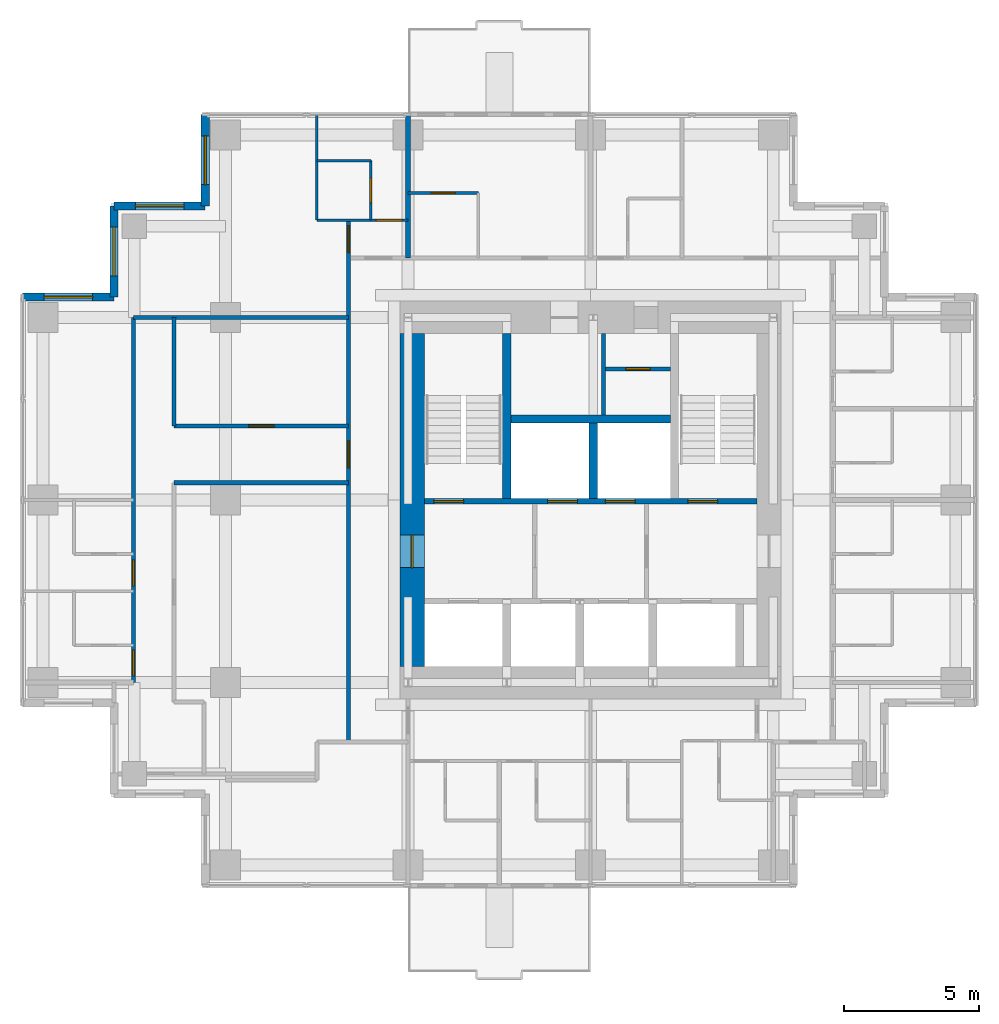
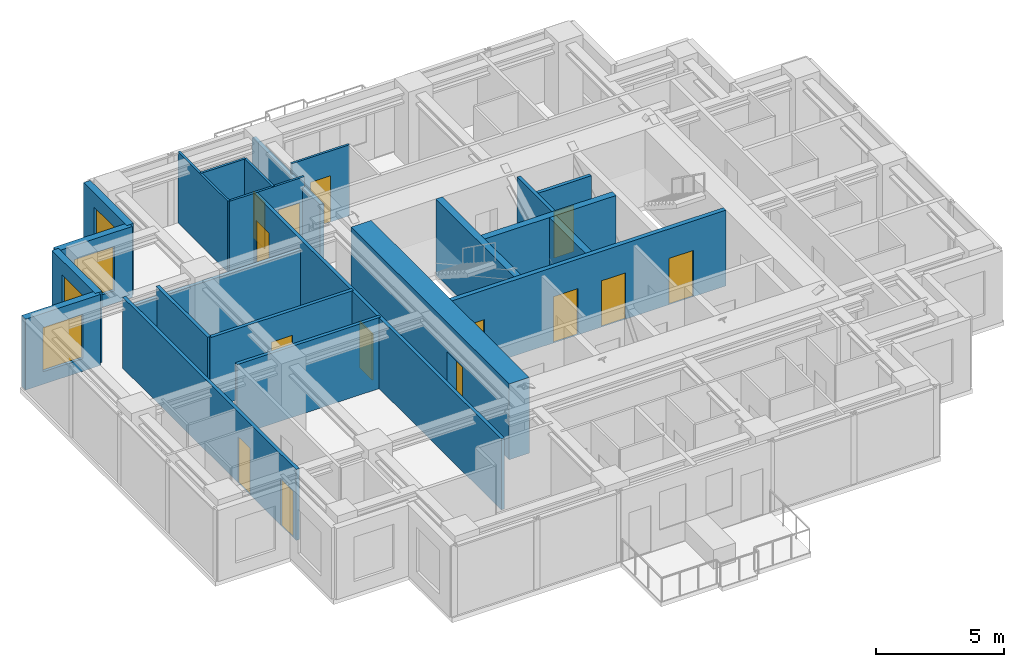
# One storey, part 5 of 8: 23 walls, 14 doors, 4 windows, 18 openings.
"""IFC4 building model written with IfcOpenShell, lengths in metres."""

from ifc_helpers import new_model, si_unit, direction, frame, frame_2d, origin, place, context, subcontext, project, spatial, rectangle, extrude, material, layer, layer_set, type_object, element, fill, save


model = new_model("IFC4")

# Units and contexts
model_context = context("Model", 3, precision=1e-05, world=origin(), true_north=direction((0.0, 1.0)))
body_context = subcontext(model_context, "Body", "Model", "MODEL_VIEW")
ifc_project = project(units=[si_unit("LENGTHUNIT", "METRE"), si_unit("AREAUNIT", "SQUARE_METRE"), si_unit("VOLUMEUNIT", "CUBIC_METRE"), si_unit("PLANEANGLEUNIT", "RADIAN"), si_unit("MASSUNIT", "GRAM", prefix="KILO")], contexts=[model_context])

# Site, building, storey
site_placement = place(None, origin())
site = spatial("IfcSite", under=ifc_project, at=site_placement, CompositionType="ELEMENT")
building_placement = place(site_placement, origin())
building = spatial("IfcBuilding", under=site, at=building_placement, Name="Nyansa Garden Tower", CompositionType="ELEMENT")
storey_placement = place(building_placement, frame((0.0, 0.0, 225.89990234375)))
storey = spatial("IfcBuildingStorey", under=building, at=storey_placement, Name="L61", CompositionType="ELEMENT", Elevation=225.89990234375)

# Wall
ifc_material_1 = material(Name="Dense blockwork, plastered both sides, 55 dB", Category="masonry")
ifc_layer_1 = layer(ifc_material_1, 0.175048828125)
ifc_layer_set_1 = layer_set([ifc_layer_1], Name="Acoustic party wall PW175")
wall_type_1 = type_object("IfcWallType", Name="Acoustic party wall PW175", PredefinedType="PARTITIONING", material=ifc_layer_set_1)
wall_1_placement = place(storey_placement, frame((13.5, 29.199951171875, 0.0), z_axis=(0.0, 0.0, 1.0), x_axis=(0.0, 1.0, 0.0)))
element("IfcWall", 1, at=wall_1_placement, inside=storey, type_object=wall_type_1, Name="Party wall", PredefinedType="PARTITIONING", context=body_context, shape_type="SweptSolid", body=[
    extrude(rectangle(XDim=5.283935546875, YDim=0.175048828125, at=frame_2d((2.64208984375, 0.0))), origin(), (0.0, 0.0, 1.0), 2.877197265625),
])

# Wall, openings, doors
ifc_material_2 = material(Name="Concrete C70/85", Category="concrete")
ifc_layer_2 = layer(ifc_material_2, 0.199951171875)
ifc_layer_set_2 = layer_set([ifc_layer_2], Name="Core inner wall CI200")
wall_type_2 = type_object("IfcWallType", Name="Core inner wall CI200", PredefinedType="SHEAR", material=ifc_layer_set_2)
wall_2_placement = place(storey_placement, frame((14.10009765625, 20.199951171875, 0.0), z_axis=(0.0, 0.0, 1.0), x_axis=(1.0, 0.0, 0.0)))
wall_2 = element("IfcWall", 2, at=wall_2_placement, inside=storey, type_object=wall_type_2, Name="Core inner wall L61", PredefinedType="SHEAR", context=body_context, shape_type="SweptSolid", body=[
    extrude(rectangle(XDim=12.2998046875, YDim=0.199951171875, at=frame_2d((6.14990234375, 0.0))), origin(), (0.0, 0.0, 1.0), 3.60009765625),
])
opening_1_placement = place(wall_2_placement, frame((4.56005859375, 0.0, 0.0)))
opening_1 = element("IfcOpeningElement", 3, at=opening_1_placement, cuts=wall_2, Name="Opening LD-B", PredefinedType="OPENING", context=body_context, shape_type="SweptSolid", body=[
    extrude(rectangle(XDim=1.10009765625, YDim=2.199951171875, at=frame_2d((0.550048828125, 1.10009765625))), frame((0.0, 0.10986328125, 0.0), z_axis=(0.0, -1.0, 0.0), x_axis=(1.0, 0.0, 0.0)), (0.0, 0.0, 1.0), 0.219970703125),
])
opening_2_placement = place(wall_2_placement, frame((6.699951171875, 0.0, 0.0)))
opening_2 = element("IfcOpeningElement", 4, at=opening_2_placement, cuts=wall_2, Name="Opening LD-B", PredefinedType="OPENING", context=body_context, shape_type="SweptSolid", body=[
    extrude(rectangle(XDim=1.10009765625, YDim=2.199951171875, at=frame_2d((0.550048828125, 1.10009765625))), frame((0.0, 0.10986328125, 0.0), z_axis=(0.0, -1.0, 0.0), x_axis=(1.0, 0.0, 0.0)), (0.0, 0.0, 1.0), 0.219970703125),
])
opening_3_placement = place(wall_2_placement, frame((0.35009765625, 0.0, 0.0)))
opening_3 = element("IfcOpeningElement", 5, at=opening_3_placement, cuts=wall_2, Name="Opening D05", PredefinedType="OPENING", context=body_context, shape_type="SweptSolid", body=[
    extrude(rectangle(XDim=1.10009765625, YDim=2.199951171875, at=frame_2d((0.550048828125, 1.10009765625))), frame((0.0, 0.10986328125, 0.0), z_axis=(0.0, -1.0, 0.0), x_axis=(1.0, 0.0, 0.0)), (0.0, 0.0, 1.0), 0.219970703125),
])
opening_4_placement = place(wall_2_placement, frame((9.75, 0.0, 0.0)))
opening_4 = element("IfcOpeningElement", 6, at=opening_4_placement, cuts=wall_2, Name="Opening D05", PredefinedType="OPENING", context=body_context, shape_type="SweptSolid", body=[
    extrude(rectangle(XDim=1.10009765625, YDim=2.199951171875, at=frame_2d((0.550048828125, 1.10009765625))), frame((0.0, 0.10986328125, 0.0), z_axis=(0.0, -1.0, 0.0), x_axis=(1.0, 0.0, 0.0)), (0.0, 0.0, 1.0), 0.219970703125),
])
ifc_material_3 = material(Name="Stainless steel centre-opening landing door of the high-rise lift, E 120", Category="steel")
door_type_1 = type_object("IfcDoorType", Name="Lift landing door LD-B 1100x2200", OperationType="DOUBLE_DOOR_SLIDING", PredefinedType="DOOR", material=ifc_material_3)
door_1_placement = place(opening_1_placement, origin())
door_1 = element("IfcDoor", 7, at=door_1_placement, inside=storey, type_object=door_type_1, Name="Landing door B3", OperationType="DOUBLE_DOOR_SLIDING", OverallHeight=2.199951171875, OverallWidth=1.10009765625, PredefinedType="DOOR", context=body_context, shape_type="SweptSolid", body=[
    extrude(rectangle(XDim=1.10009765625, YDim=2.199951171875, at=frame_2d((0.550048828125, 1.10009765625))), frame((0.0, 0.02490234375, 0.0), z_axis=(0.0, -1.0, 0.0), x_axis=(1.0, 0.0, 0.0)), (0.0, 0.0, 1.0), 0.050048828125),
])
fill(opening_1, door_1)
door_2_placement = place(opening_2_placement, origin())
door_2 = element("IfcDoor", 8, at=door_2_placement, inside=storey, type_object=door_type_1, Name="Landing door B4", OperationType="DOUBLE_DOOR_SLIDING", OverallHeight=2.199951171875, OverallWidth=1.10009765625, PredefinedType="DOOR", context=body_context, shape_type="SweptSolid", body=[
    extrude(rectangle(XDim=1.10009765625, YDim=2.199951171875, at=frame_2d((0.550048828125, 1.10009765625))), frame((0.0, 0.02490234375, 0.0), z_axis=(0.0, -1.0, 0.0), x_axis=(1.0, 0.0, 0.0)), (0.0, 0.0, 1.0), 0.050048828125),
])
fill(opening_2, door_2)
ifc_material_4 = material(Name="Steel door, 120 minute fire resisting", Category="steel")
door_type_2 = type_object("IfcDoorType", Name="Stair door D05 1100x2200", OperationType="SINGLE_SWING_LEFT", PredefinedType="DOOR", material=ifc_material_4)
door_3_placement = place(opening_3_placement, origin())
door_3 = element("IfcDoor", 9, at=door_3_placement, inside=storey, type_object=door_type_2, Name="Stair S1 door", OperationType="SINGLE_SWING_LEFT", OverallHeight=2.199951171875, OverallWidth=1.10009765625, PredefinedType="DOOR", context=body_context, shape_type="SweptSolid", body=[
    extrude(rectangle(XDim=1.10009765625, YDim=2.199951171875, at=frame_2d((0.550048828125, 1.10009765625))), frame((0.0, 0.02490234375, 0.0), z_axis=(0.0, -1.0, 0.0), x_axis=(1.0, 0.0, 0.0)), (0.0, 0.0, 1.0), 0.050048828125),
])
fill(opening_3, door_3)
door_4_placement = place(opening_4_placement, origin())
door_4 = element("IfcDoor", 10, at=door_4_placement, inside=storey, type_object=door_type_2, Name="Stair S2 door", OperationType="SINGLE_SWING_LEFT", OverallHeight=2.199951171875, OverallWidth=1.10009765625, PredefinedType="DOOR", context=body_context, shape_type="SweptSolid", body=[
    extrude(rectangle(XDim=1.10009765625, YDim=2.199951171875, at=frame_2d((0.550048828125, 1.10009765625))), frame((0.0, 0.02490234375, 0.0), z_axis=(0.0, -1.0, 0.0), x_axis=(1.0, 0.0, 0.0)), (0.0, 0.0, 1.0), 0.050048828125),
])
fill(opening_4, door_4)

# Walls
ifc_material_5 = material(Name="Concrete C70/85", Category="concrete")
ifc_layer_3 = layer(ifc_material_5, 0.300048828125)
ifc_layer_set_3 = layer_set([ifc_layer_3], Name="Core inner wall CI300")
wall_type_3 = type_object("IfcWallType", Name="Core inner wall CI300", PredefinedType="SHEAR", material=ifc_layer_set_3)
wall_3_placement = place(storey_placement, frame((17.14990234375, 20.300048828125, 0.0), z_axis=(0.0, 0.0, 1.0), x_axis=(0.0, 1.0, 0.0)))
element("IfcWall", 11, at=wall_3_placement, inside=storey, type_object=wall_type_3, Name="Core inner wall L61", PredefinedType="SHEAR", context=body_context, shape_type="SweptSolid", body=[
    extrude(rectangle(XDim=6.099853515625, YDim=0.300048828125, at=frame_2d((3.0498046875, 0.0))), origin(), (0.0, 0.0, 1.0), 3.60009765625),
])
wall_4_placement = place(storey_placement, frame((20.35009765625, 20.300048828125, 0.0), z_axis=(0.0, 0.0, 1.0), x_axis=(0.0, 1.0, 0.0)))
element("IfcWall", 12, at=wall_4_placement, inside=storey, type_object=wall_type_3, Name="Core inner wall L61", PredefinedType="SHEAR", context=body_context, shape_type="SweptSolid", body=[
    extrude(rectangle(XDim=2.800048828125, YDim=0.300048828125, at=frame_2d((1.39990234375, 0.0))), origin(), (0.0, 0.0, 1.0), 3.60009765625),
])
wall_5_placement = place(storey_placement, frame((17.300048828125, 23.25, 0.0), z_axis=(0.0, 0.0, 1.0), x_axis=(1.0, 0.0, 0.0)))
element("IfcWall", 13, at=wall_5_placement, inside=storey, type_object=wall_type_3, Name="Core inner wall L61", PredefinedType="SHEAR", context=body_context, shape_type="SweptSolid", body=[
    extrude(rectangle(XDim=5.89990234375, YDim=0.300048828125, at=frame_2d((2.949951171875, 0.0))), origin(), (0.0, 0.0, 1.0), 3.60009765625),
])

# Wall, opening, door
ifc_material_6 = material(Name="Concrete C80/95", Category="concrete")
ifc_layer_4 = layer(ifc_material_6, 0.89990234375)
ifc_layer_set_4 = layer_set([ifc_layer_4], Name="Core wall CW900")
wall_type_4 = type_object("IfcWallType", Name="Core wall CW900", PredefinedType="SHEAR", material=ifc_layer_set_4)
wall_6_placement = place(storey_placement, frame((13.64990234375, 26.39990234375, 0.0), z_axis=(0.0, 0.0, 1.0), x_axis=(0.0, -1.0, 0.0)))
wall_6 = element("IfcWall", 14, at=wall_6_placement, inside=storey, type_object=wall_type_4, Name="Core wall W L61", PredefinedType="SHEAR", context=body_context, shape_type="SweptSolid", body=[
    extrude(rectangle(XDim=12.2998046875, YDim=0.89990234375, at=frame_2d((6.14990234375, 0.0))), origin(), (0.0, 0.0, 1.0), 3.60009765625),
])
opening_5_placement = place(wall_6_placement, frame((7.449951171875, 0.0, 0.0)))
opening_5 = element("IfcOpeningElement", 15, at=opening_5_placement, cuts=wall_6, Name="Opening D06", PredefinedType="OPENING", context=body_context, shape_type="SweptSolid", body=[
    extrude(rectangle(XDim=1.199951171875, YDim=2.199951171875, at=frame_2d((0.60009765625, 1.10009765625))), frame((0.0, 0.4599609375, 0.0), z_axis=(0.0, -1.0, 0.0), x_axis=(1.0, 0.0, 0.0)), (0.0, 0.0, 1.0), 0.919921875),
])
ifc_material_7 = material(Name="Steel door, 120 minute fire resisting", Category="steel")
door_type_3 = type_object("IfcDoorType", Name="Lobby door D06 1200x2200", OperationType="DOUBLE_DOOR_SINGLE_SWING", PredefinedType="DOOR", material=ifc_material_7)
door_5_placement = place(opening_5_placement, origin())
door_5 = element("IfcDoor", 16, at=door_5_placement, inside=storey, type_object=door_type_3, Name="Lift lobby door west", OperationType="DOUBLE_DOOR_SINGLE_SWING", OverallHeight=2.199951171875, OverallWidth=1.199951171875, PredefinedType="DOOR", context=body_context, shape_type="SweptSolid", body=[
    extrude(rectangle(XDim=1.199951171875, YDim=2.199951171875, at=frame_2d((0.60009765625, 1.10009765625))), frame((0.0, 0.02490234375, 0.0), z_axis=(0.0, -1.0, 0.0), x_axis=(1.0, 0.0, 0.0)), (0.0, 0.0, 1.0), 0.050048828125),
])
fill(opening_5, door_5)

# Wall
ifc_material_8 = material(Name="Blockwork, plastered both sides", Category="masonry")
ifc_layer_5 = layer(ifc_material_8, 0.14990234375)
ifc_layer_set_5 = layer_set([ifc_layer_5], Name="Partition PW150")
wall_type_5 = type_object("IfcWallType", Name="Partition PW150", PredefinedType="PARTITIONING", material=ifc_layer_set_5)
wall_7_placement = place(storey_placement, frame((20.72509765625, 23.39990234375, 0.0), z_axis=(0.0, 0.0, 1.0), x_axis=(0.0, 1.0, 0.0)))
element("IfcWall", 17, at=wall_7_placement, inside=storey, type_object=wall_type_5, Name="Partition", PredefinedType="PARTITIONING", context=body_context, shape_type="SweptSolid", body=[
    extrude(rectangle(XDim=3.0, YDim=0.14990234375, at=frame_2d((1.5, 0.0))), origin(), (0.0, 0.0, 1.0), 3.375),
])

# Wall, opening, door
wall_8_placement = place(storey_placement, frame((20.800048828125, 25.10009765625, 0.0), z_axis=(0.0, 0.0, 1.0), x_axis=(1.0, 0.0, 0.0)))
wall_8 = element("IfcWall", 18, at=wall_8_placement, inside=storey, type_object=wall_type_5, Name="Partition", PredefinedType="PARTITIONING", context=body_context, shape_type="SweptSolid", body=[
    extrude(rectangle(XDim=2.39990234375, YDim=0.14990234375, at=frame_2d((1.199951171875, 0.0))), origin(), (0.0, 0.0, 1.0), 3.375),
])
opening_6_placement = place(wall_8_placement, frame((0.75, 0.0, 0.0)))
opening_6 = element("IfcOpeningElement", 19, at=opening_6_placement, cuts=wall_8, Name="Opening D02", PredefinedType="OPENING", context=body_context, shape_type="SweptSolid", body=[
    extrude(rectangle(XDim=0.89990234375, YDim=2.199951171875, at=frame_2d((0.449951171875, 1.10009765625))), frame((0.0, 0.0849609375, 0.0), z_axis=(0.0, -1.0, 0.0), x_axis=(1.0, 0.0, 0.0)), (0.0, 0.0, 1.0), 0.169921875),
])
ifc_material_9 = material(Name="Timber flush door", Category="wood")
door_type_4 = type_object("IfcDoorType", Name="En-suite door D02 900x2200", OperationType="SINGLE_SWING_RIGHT", PredefinedType="DOOR", material=ifc_material_9)
door_6_placement = place(opening_6_placement, origin())
door_6 = element("IfcDoor", 20, at=door_6_placement, inside=storey, type_object=door_type_4, Name="Staff WC door", OperationType="SINGLE_SWING_RIGHT", OverallHeight=2.199951171875, OverallWidth=0.89990234375, PredefinedType="DOOR", context=body_context, shape_type="SweptSolid", body=[
    extrude(rectangle(XDim=0.89990234375, YDim=2.199951171875, at=frame_2d((0.449951171875, 1.10009765625))), frame((0.0, 0.02490234375, 0.0), z_axis=(0.0, -1.0, 0.0), x_axis=(1.0, 0.0, 0.0)), (0.0, 0.0, 1.0), 0.050048828125),
])
fill(opening_6, door_6)

# Wall, openings, doors
wall_9_placement = place(storey_placement, frame((3.35009765625, 13.5, 0.0), z_axis=(0.0, 0.0, 1.0), x_axis=(0.0, 1.0, 0.0)))
wall_9 = element("IfcWall", 21, at=wall_9_placement, inside=storey, type_object=wall_type_5, Name="Partition", PredefinedType="PARTITIONING", context=body_context, shape_type="SweptSolid", body=[
    extrude(rectangle(XDim=13.5, YDim=0.14990234375, at=frame_2d((6.75, 0.0))), origin(), (0.0, 0.0, 1.0), 3.375),
])
opening_7_placement = place(wall_9_placement, frame((0.25, 0.0, 0.0)))
opening_7 = element("IfcOpeningElement", 22, at=opening_7_placement, cuts=wall_9, Name="Opening D14", PredefinedType="OPENING", context=body_context, shape_type="SweptSolid", body=[
    extrude(rectangle(XDim=0.949951171875, YDim=2.199951171875, at=frame_2d((0.47509765625, 1.10009765625))), frame((0.0, 0.0849609375, 0.0), z_axis=(0.0, -1.0, 0.0), x_axis=(1.0, 0.0, 0.0)), (0.0, 0.0, 1.0), 0.169921875),
])
opening_8_placement = place(wall_9_placement, frame((3.574951171875, 0.0, 0.0)))
opening_8 = element("IfcOpeningElement", 23, at=opening_8_placement, cuts=wall_9, Name="Opening D14", PredefinedType="OPENING", context=body_context, shape_type="SweptSolid", body=[
    extrude(rectangle(XDim=0.949951171875, YDim=2.199951171875, at=frame_2d((0.47509765625, 1.10009765625))), frame((0.0, 0.0849609375, 0.0), z_axis=(0.0, -1.0, 0.0), x_axis=(1.0, 0.0, 0.0)), (0.0, 0.0, 1.0), 0.169921875),
])
ifc_material_10 = material(Name="Timber flush door, 60 minute fire resisting, self-closing", Category="wood")
door_type_5 = type_object("IfcDoorType", Name="Studio entrance door D14 950x2200", OperationType="SINGLE_SWING_LEFT", PredefinedType="DOOR", material=ifc_material_10)
door_7_placement = place(opening_7_placement, origin())
door_7 = element("IfcDoor", 24, at=door_7_placement, inside=storey, type_object=door_type_5, Name="Door L61-048", OperationType="SINGLE_SWING_LEFT", OverallHeight=2.199951171875, OverallWidth=0.949951171875, PredefinedType="DOOR", context=body_context, shape_type="SweptSolid", body=[
    extrude(rectangle(XDim=0.949951171875, YDim=2.199951171875, at=frame_2d((0.47509765625, 1.10009765625))), frame((0.0, 0.02490234375, 0.0), z_axis=(0.0, -1.0, 0.0), x_axis=(1.0, 0.0, 0.0)), (0.0, 0.0, 1.0), 0.050048828125),
])
fill(opening_7, door_7)
door_8_placement = place(opening_8_placement, origin())
door_8 = element("IfcDoor", 25, at=door_8_placement, inside=storey, type_object=door_type_5, Name="Door L61-050", OperationType="SINGLE_SWING_LEFT", OverallHeight=2.199951171875, OverallWidth=0.949951171875, PredefinedType="DOOR", context=body_context, shape_type="SweptSolid", body=[
    extrude(rectangle(XDim=0.949951171875, YDim=2.199951171875, at=frame_2d((0.47509765625, 1.10009765625))), frame((0.0, 0.02490234375, 0.0), z_axis=(0.0, -1.0, 0.0), x_axis=(1.0, 0.0, 0.0)), (0.0, 0.0, 1.0), 0.050048828125),
])
fill(opening_8, door_8)

# Walls
wall_10_placement = place(storey_placement, frame((3.35009765625, 27.0, 0.0), z_axis=(0.0, 0.0, 1.0), x_axis=(1.0, 0.0, 0.0)))
element("IfcWall", 26, at=wall_10_placement, inside=storey, type_object=wall_type_5, Name="Partition", PredefinedType="PARTITIONING", context=body_context, shape_type="SweptSolid", body=[
    extrude(rectangle(XDim=7.949951171875, YDim=0.14990234375, at=frame_2d((3.97509765625, 0.0))), origin(), (0.0, 0.0, 1.0), 2.877197265625),
])
wall_11_placement = place(storey_placement, frame((4.85009765625, 20.886962890625, 0.0), z_axis=(0.0, 0.0, 1.0), x_axis=(1.0, 0.0, 0.0)))
element("IfcWall", 27, at=wall_11_placement, inside=storey, type_object=wall_type_5, Name="Partition", PredefinedType="PARTITIONING", context=body_context, shape_type="SweptSolid", body=[
    extrude(rectangle(XDim=6.449951171875, YDim=0.14990234375, at=frame_2d((3.22509765625, 0.0))), origin(), (0.0, 0.0, 1.0), 3.375),
])
wall_12_placement = place(storey_placement, frame((4.85009765625, 22.987548828125, 0.0), z_axis=(0.0, 0.0, 1.0), x_axis=(0.0, 1.0, 0.0)))
element("IfcWall", 28, at=wall_12_placement, inside=storey, type_object=wall_type_5, Name="Partition", PredefinedType="PARTITIONING", context=body_context, shape_type="SweptSolid", body=[
    extrude(rectangle(XDim=4.012451171875, YDim=0.14990234375, at=frame_2d((2.00634765625, 0.0))), origin(), (0.0, 0.0, 1.0), 3.375),
])

# Wall, opening, door
wall_13_placement = place(storey_placement, frame((4.85009765625, 22.988037109375, 0.0), z_axis=(0.0, 0.0, 1.0), x_axis=(1.0, 0.0, 0.0)))
wall_13 = element("IfcWall", 29, at=wall_13_placement, inside=storey, type_object=wall_type_5, Name="Partition", PredefinedType="PARTITIONING", context=body_context, shape_type="SweptSolid", body=[
    extrude(rectangle(XDim=6.449951171875, YDim=0.14990234375, at=frame_2d((3.22509765625, 0.0))), origin(), (0.0, 0.0, 1.0), 3.375),
])
opening_9_placement = place(wall_13_placement, frame((2.75, 0.0, 0.0)))
opening_9 = element("IfcOpeningElement", 30, at=opening_9_placement, cuts=wall_13, Name="Opening D01", PredefinedType="OPENING", context=body_context, shape_type="SweptSolid", body=[
    extrude(rectangle(XDim=0.949951171875, YDim=2.199951171875, at=frame_2d((0.47509765625, 1.10009765625))), frame((0.0, 0.0849609375, 0.0), z_axis=(0.0, -1.0, 0.0), x_axis=(1.0, 0.0, 0.0)), (0.0, 0.0, 1.0), 0.169921875),
])
ifc_material_11 = material(Name="Timber flush door, 30 minute fire resisting", Category="wood")
door_type_6 = type_object("IfcDoorType", Name="Bedroom door D01 950x2200", OperationType="SINGLE_SWING_LEFT", PredefinedType="DOOR", material=ifc_material_11)
door_9_placement = place(opening_9_placement, origin())
door_9 = element("IfcDoor", 31, at=door_9_placement, inside=storey, type_object=door_type_6, Name="Door L61-053", OperationType="SINGLE_SWING_LEFT", OverallHeight=2.199951171875, OverallWidth=0.949951171875, PredefinedType="DOOR", context=body_context, shape_type="SweptSolid", body=[
    extrude(rectangle(XDim=0.949951171875, YDim=2.199951171875, at=frame_2d((0.47509765625, 1.10009765625))), frame((0.0, 0.02490234375, 0.0), z_axis=(0.0, -1.0, 0.0), x_axis=(1.0, 0.0, 0.0)), (0.0, 0.0, 1.0), 0.050048828125),
])
fill(opening_9, door_9)

# Wall, openings, doors
wall_14_placement = place(storey_placement, frame((11.300048828125, 11.300048828125, 0.0), z_axis=(0.0, 0.0, 1.0), x_axis=(0.0, 1.0, 0.0)))
wall_14 = element("IfcWall", 32, at=wall_14_placement, inside=storey, type_object=wall_type_5, Name="Partition", PredefinedType="PARTITIONING", context=body_context, shape_type="SweptSolid", body=[
    extrude(rectangle(XDim=19.300048828125, YDim=0.14990234375, at=frame_2d((9.64990234375, 0.0))), origin(), (0.0, 0.0, 1.0), 3.375),
])
opening_10_placement = place(wall_14_placement, frame((18.10009765625, 0.0, 0.0)))
opening_10 = element("IfcOpeningElement", 33, at=opening_10_placement, cuts=wall_14, Name="Opening D03", PredefinedType="OPENING", context=body_context, shape_type="SweptSolid", body=[
    extrude(rectangle(XDim=1.0, YDim=2.199951171875, at=frame_2d((0.5, 1.10009765625))), frame((0.0, 0.0849609375, 0.0), z_axis=(0.0, -1.0, 0.0), x_axis=(1.0, 0.0, 0.0)), (0.0, 0.0, 1.0), 0.169921875),
])
opening_11_placement = place(wall_14_placement, frame((10.137451171875, 0.0, 0.0)))
opening_11 = element("IfcOpeningElement", 34, at=opening_11_placement, cuts=wall_14, Name="Opening D03", PredefinedType="OPENING", context=body_context, shape_type="SweptSolid", body=[
    extrude(rectangle(XDim=1.0, YDim=2.199951171875, at=frame_2d((0.5, 1.10009765625))), frame((0.0, 0.0849609375, 0.0), z_axis=(0.0, -1.0, 0.0), x_axis=(1.0, 0.0, 0.0)), (0.0, 0.0, 1.0), 0.169921875),
])
ifc_material_12 = material(Name="Timber flush door, 60 minute fire resisting", Category="wood")
door_type_7 = type_object("IfcDoorType", Name="Cluster entrance door D03 1000x2200", OperationType="SINGLE_SWING_LEFT", PredefinedType="DOOR", material=ifc_material_12)
door_10_placement = place(opening_10_placement, origin())
door_10 = element("IfcDoor", 35, at=door_10_placement, inside=storey, type_object=door_type_7, Name="Door L61-047", OperationType="SINGLE_SWING_LEFT", OverallHeight=2.199951171875, OverallWidth=1.0, PredefinedType="DOOR", context=body_context, shape_type="SweptSolid", body=[
    extrude(rectangle(XDim=1.0, YDim=2.199951171875, at=frame_2d((0.5, 1.10009765625))), frame((0.0, 0.02490234375, 0.0), z_axis=(0.0, -1.0, 0.0), x_axis=(1.0, 0.0, 0.0)), (0.0, 0.0, 1.0), 0.050048828125),
])
fill(opening_10, door_10)
door_11_placement = place(opening_11_placement, origin())
door_11 = element("IfcDoor", 36, at=door_11_placement, inside=storey, type_object=door_type_7, Name="Door L61-052", OperationType="SINGLE_SWING_LEFT", OverallHeight=2.199951171875, OverallWidth=1.0, PredefinedType="DOOR", context=body_context, shape_type="SweptSolid", body=[
    extrude(rectangle(XDim=1.0, YDim=2.199951171875, at=frame_2d((0.5, 1.10009765625))), frame((0.0, 0.02490234375, 0.0), z_axis=(0.0, -1.0, 0.0), x_axis=(1.0, 0.0, 0.0)), (0.0, 0.0, 1.0), 0.050048828125),
])
fill(opening_11, door_11)

# Wall, opening, window
ifc_material_13 = material(Name="Turquoise glazed tile on concrete blockwork", Category="masonry")
ifc_layer_6 = layer(ifc_material_13, 0.300048828125)
ifc_layer_set_6 = layer_set([ifc_layer_6], Name="Tiled corner wall TW300")
wall_type_6 = type_object("IfcWallType", Name="Tiled corner wall TW300", PredefinedType="SOLIDWALL", material=ifc_layer_set_6)
wall_15_placement = place(storey_placement, frame((6.0, 34.5, 0.0), z_axis=(0.0, 0.0, 1.0), x_axis=(0.0, -1.0, 0.0)))
wall_15 = element("IfcWall", 37, at=wall_15_placement, inside=storey, type_object=wall_type_6, Name="Tiled corner wall L61", PredefinedType="SOLIDWALL", context=body_context, shape_type="SweptSolid", body=[
    extrude(rectangle(XDim=3.375, YDim=0.300048828125, at=frame_2d((1.6875, 0.0))), origin(), (0.0, 0.0, 1.0), 3.375),
])
opening_12_placement = place(wall_15_placement, frame((0.78759765625, 0.0, 0.60009765625)))
opening_12 = element("IfcOpeningElement", 38, at=opening_12_placement, cuts=wall_15, Name="Opening W2", PredefinedType="OPENING", context=body_context, shape_type="SweptSolid", body=[
    extrude(rectangle(XDim=1.800048828125, YDim=2.10009765625, at=frame_2d((0.89990234375, 1.050048828125))), frame((0.0, 0.159912109375, 0.0), z_axis=(0.0, -1.0, 0.0), x_axis=(1.0, 0.0, 0.0)), (0.0, 0.0, 1.0), 0.320068359375),
])
ifc_material_14 = material(Name="Black aluminium frame, dark tinted double glazing", Category="aluminium")
window_type = type_object("IfcWindowType", Name="Window W2 1800x2100", PartitioningType="SINGLE_PANEL", PredefinedType="WINDOW", material=ifc_material_14)
window_1_placement = place(opening_12_placement, origin())
window_1 = element("IfcWindow", 39, at=window_1_placement, inside=storey, type_object=window_type, Name="Corner window L61", OverallHeight=2.10009765625, OverallWidth=1.800048828125, PartitioningType="SINGLE_PANEL", PredefinedType="WINDOW", context=body_context, shape_type="SweptSolid", body=[
    extrude(rectangle(XDim=1.800048828125, YDim=2.10009765625, at=frame_2d((0.89990234375, 1.050048828125))), frame((0.0, 0.030029296875, 0.0), z_axis=(0.0, -1.0, 0.0), x_axis=(1.0, 0.0, 0.0)), (0.0, 0.0, 1.0), 0.06005859375),
])
fill(opening_12, window_1)

wall_16_placement = place(storey_placement, frame((6.0, 31.125, 0.0), z_axis=(0.0, 0.0, 1.0), x_axis=(-1.0, 0.0, 0.0)))
wall_16 = element("IfcWall", 40, at=wall_16_placement, inside=storey, type_object=wall_type_6, Name="Tiled corner wall L61", PredefinedType="SOLIDWALL", context=body_context, shape_type="SweptSolid", body=[
    extrude(rectangle(XDim=3.375, YDim=0.300048828125, at=frame_2d((1.6875, 0.0))), origin(), (0.0, 0.0, 1.0), 3.375),
])
opening_13_placement = place(wall_16_placement, frame((0.78759765625, 0.0, 0.60009765625)))
opening_13 = element("IfcOpeningElement", 41, at=opening_13_placement, cuts=wall_16, Name="Opening W2", PredefinedType="OPENING", context=body_context, shape_type="SweptSolid", body=[
    extrude(rectangle(XDim=1.800048828125, YDim=2.10009765625, at=frame_2d((0.89990234375, 1.050048828125))), frame((0.0, 0.159912109375, 0.0), z_axis=(0.0, -1.0, 0.0), x_axis=(1.0, 0.0, 0.0)), (0.0, 0.0, 1.0), 0.320068359375),
])
window_2_placement = place(opening_13_placement, origin())
window_2 = element("IfcWindow", 42, at=window_2_placement, inside=storey, type_object=window_type, Name="Corner window L61", OverallHeight=2.10009765625, OverallWidth=1.800048828125, PartitioningType="SINGLE_PANEL", PredefinedType="WINDOW", context=body_context, shape_type="SweptSolid", body=[
    extrude(rectangle(XDim=1.800048828125, YDim=2.10009765625, at=frame_2d((0.89990234375, 1.050048828125))), frame((0.0, 0.030029296875, 0.0), z_axis=(0.0, -1.0, 0.0), x_axis=(1.0, 0.0, 0.0)), (0.0, 0.0, 1.0), 0.06005859375),
])
fill(opening_13, window_2)

wall_17_placement = place(storey_placement, frame((2.625, 31.125, 0.0), z_axis=(0.0, 0.0, 1.0), x_axis=(0.0, -1.0, 0.0)))
wall_17 = element("IfcWall", 43, at=wall_17_placement, inside=storey, type_object=wall_type_6, Name="Tiled corner wall L61", PredefinedType="SOLIDWALL", context=body_context, shape_type="SweptSolid", body=[
    extrude(rectangle(XDim=3.375, YDim=0.300048828125, at=frame_2d((1.6875, 0.0))), origin(), (0.0, 0.0, 1.0), 3.375),
])
opening_14_placement = place(wall_17_placement, frame((0.78759765625, 0.0, 0.60009765625)))
opening_14 = element("IfcOpeningElement", 44, at=opening_14_placement, cuts=wall_17, Name="Opening W2", PredefinedType="OPENING", context=body_context, shape_type="SweptSolid", body=[
    extrude(rectangle(XDim=1.800048828125, YDim=2.10009765625, at=frame_2d((0.89990234375, 1.050048828125))), frame((0.0, 0.159912109375, 0.0), z_axis=(0.0, -1.0, 0.0), x_axis=(1.0, 0.0, 0.0)), (0.0, 0.0, 1.0), 0.320068359375),
])
window_3_placement = place(opening_14_placement, origin())
window_3 = element("IfcWindow", 45, at=window_3_placement, inside=storey, type_object=window_type, Name="Corner window L61", OverallHeight=2.10009765625, OverallWidth=1.800048828125, PartitioningType="SINGLE_PANEL", PredefinedType="WINDOW", context=body_context, shape_type="SweptSolid", body=[
    extrude(rectangle(XDim=1.800048828125, YDim=2.10009765625, at=frame_2d((0.89990234375, 1.050048828125))), frame((0.0, 0.030029296875, 0.0), z_axis=(0.0, -1.0, 0.0), x_axis=(1.0, 0.0, 0.0)), (0.0, 0.0, 1.0), 0.06005859375),
])
fill(opening_14, window_3)

wall_18_placement = place(storey_placement, frame((2.625, 27.75, 0.0), z_axis=(0.0, 0.0, 1.0), x_axis=(-1.0, 0.0, 0.0)))
wall_18 = element("IfcWall", 46, at=wall_18_placement, inside=storey, type_object=wall_type_6, Name="Tiled corner wall L61", PredefinedType="SOLIDWALL", context=body_context, shape_type="SweptSolid", body=[
    extrude(rectangle(XDim=3.375, YDim=0.300048828125, at=frame_2d((1.6875, 0.0))), origin(), (0.0, 0.0, 1.0), 3.375),
])
opening_15_placement = place(wall_18_placement, frame((0.78759765625, 0.0, 0.60009765625)))
opening_15 = element("IfcOpeningElement", 47, at=opening_15_placement, cuts=wall_18, Name="Opening W2", PredefinedType="OPENING", context=body_context, shape_type="SweptSolid", body=[
    extrude(rectangle(XDim=1.800048828125, YDim=2.10009765625, at=frame_2d((0.89990234375, 1.050048828125))), frame((0.0, 0.159912109375, 0.0), z_axis=(0.0, -1.0, 0.0), x_axis=(1.0, 0.0, 0.0)), (0.0, 0.0, 1.0), 0.320068359375),
])
window_4_placement = place(opening_15_placement, origin())
window_4 = element("IfcWindow", 48, at=window_4_placement, inside=storey, type_object=window_type, Name="Corner window L61", OverallHeight=2.10009765625, OverallWidth=1.800048828125, PartitioningType="SINGLE_PANEL", PredefinedType="WINDOW", context=body_context, shape_type="SweptSolid", body=[
    extrude(rectangle(XDim=1.800048828125, YDim=2.10009765625, at=frame_2d((0.89990234375, 1.050048828125))), frame((0.0, 0.030029296875, 0.0), z_axis=(0.0, -1.0, 0.0), x_axis=(1.0, 0.0, 0.0)), (0.0, 0.0, 1.0), 0.06005859375),
])
fill(opening_15, window_4)

# Wall
ifc_material_15 = material(Name="Moisture resistant board on steel studs, tiled", Category="steel")
ifc_layer_7 = layer(ifc_material_15, 0.10009765625)
ifc_layer_set_7 = layer_set([ifc_layer_7], Name="Wet wall PW100")
wall_type_7 = type_object("IfcWallType", Name="Wet wall PW100", PredefinedType="PARTITIONING", material=ifc_layer_set_7)
wall_19_placement = place(storey_placement, frame((10.125, 30.60009765625, 0.0), z_axis=(0.0, 0.0, 1.0), x_axis=(0.0, 1.0, 0.0)))
element("IfcWall", 49, at=wall_19_placement, inside=storey, type_object=wall_type_7, Name="Wet wall", PredefinedType="PARTITIONING", context=body_context, shape_type="SweptSolid", body=[
    extrude(rectangle(XDim=3.8837890625, YDim=0.10009765625, at=frame_2d((1.94189453125, 0.0))), origin(), (0.0, 0.0, 1.0), 3.375),
])

# Wall, opening, door
wall_20_placement = place(storey_placement, frame((10.125, 30.60009765625, 0.0), z_axis=(0.0, 0.0, 1.0), x_axis=(1.0, 0.0, 0.0)))
wall_20 = element("IfcWall", 50, at=wall_20_placement, inside=storey, type_object=wall_type_7, Name="Wet wall", PredefinedType="PARTITIONING", context=body_context, shape_type="SweptSolid", body=[
    extrude(rectangle(XDim=3.375, YDim=0.10009765625, at=frame_2d((1.6875, 0.0))), origin(), (0.0, 0.0, 1.0), 3.375),
])
opening_16_placement = place(wall_20_placement, frame((2.199951171875, 0.0, 0.0)))
opening_16 = element("IfcOpeningElement", 51, at=opening_16_placement, cuts=wall_20, Name="Opening D14", PredefinedType="OPENING", context=body_context, shape_type="SweptSolid", body=[
    extrude(rectangle(XDim=0.949951171875, YDim=2.199951171875, at=frame_2d((0.47509765625, 1.10009765625))), frame((0.0, 0.06005859375, 0.0), z_axis=(0.0, -1.0, 0.0), x_axis=(1.0, 0.0, 0.0)), (0.0, 0.0, 1.0), 0.1201171875),
])
door_12_placement = place(opening_16_placement, origin())
door_12 = element("IfcDoor", 52, at=door_12_placement, inside=storey, type_object=door_type_5, Name="Door L61-042", OperationType="SINGLE_SWING_LEFT", OverallHeight=2.199951171875, OverallWidth=0.949951171875, PredefinedType="DOOR", context=body_context, shape_type="SweptSolid", body=[
    extrude(rectangle(XDim=0.949951171875, YDim=2.199951171875, at=frame_2d((0.47509765625, 1.10009765625))), frame((0.0, 0.02490234375, 0.0), z_axis=(0.0, -1.0, 0.0), x_axis=(1.0, 0.0, 0.0)), (0.0, 0.0, 1.0), 0.050048828125),
])
fill(opening_16, door_12)

# Wall
wall_21_placement = place(storey_placement, frame((10.125, 32.800048828125, 0.0), z_axis=(0.0, 0.0, 1.0), x_axis=(1.0, 0.0, 0.0)))
element("IfcWall", 53, at=wall_21_placement, inside=storey, type_object=wall_type_7, Name="Wet wall", PredefinedType="PARTITIONING", context=body_context, shape_type="SweptSolid", body=[
    extrude(rectangle(XDim=2.0, YDim=0.10009765625, at=frame_2d((1.0, 0.0))), origin(), (0.0, 0.0, 1.0), 3.375),
])

# Wall, opening, door
wall_22_placement = place(storey_placement, frame((12.125, 30.60009765625, 0.0), z_axis=(0.0, 0.0, 1.0), x_axis=(0.0, 1.0, 0.0)))
wall_22 = element("IfcWall", 54, at=wall_22_placement, inside=storey, type_object=wall_type_7, Name="Wet wall", PredefinedType="PARTITIONING", context=body_context, shape_type="SweptSolid", body=[
    extrude(rectangle(XDim=2.199951171875, YDim=0.10009765625, at=frame_2d((1.10009765625, 0.0))), origin(), (0.0, 0.0, 1.0), 3.375),
])
opening_17_placement = place(wall_22_placement, frame((0.64990234375, 0.0, 0.0)))
opening_17 = element("IfcOpeningElement", 55, at=opening_17_placement, cuts=wall_22, Name="Opening D02", PredefinedType="OPENING", context=body_context, shape_type="SweptSolid", body=[
    extrude(rectangle(XDim=0.89990234375, YDim=2.199951171875, at=frame_2d((0.449951171875, 1.10009765625))), frame((0.0, 0.06005859375, 0.0), z_axis=(0.0, -1.0, 0.0), x_axis=(1.0, 0.0, 0.0)), (0.0, 0.0, 1.0), 0.1201171875),
])
door_13_placement = place(opening_17_placement, origin())
door_13 = element("IfcDoor", 56, at=door_13_placement, inside=storey, type_object=door_type_4, Name="Door L61-043", OperationType="SINGLE_SWING_RIGHT", OverallHeight=2.199951171875, OverallWidth=0.89990234375, PredefinedType="DOOR", context=body_context, shape_type="SweptSolid", body=[
    extrude(rectangle(XDim=0.89990234375, YDim=2.199951171875, at=frame_2d((0.449951171875, 1.10009765625))), frame((0.0, 0.02490234375, 0.0), z_axis=(0.0, -1.0, 0.0), x_axis=(1.0, 0.0, 0.0)), (0.0, 0.0, 1.0), 0.050048828125),
])
fill(opening_17, door_13)

wall_23_placement = place(storey_placement, frame((13.5, 31.60009765625, 0.0), z_axis=(0.0, 0.0, 1.0), x_axis=(1.0, 0.0, 0.0)))
wall_23 = element("IfcWall", 57, at=wall_23_placement, inside=storey, type_object=wall_type_7, Name="Wet wall", PredefinedType="PARTITIONING", context=body_context, shape_type="SweptSolid", body=[
    extrude(rectangle(XDim=2.60009765625, YDim=0.10009765625, at=frame_2d((1.300048828125, 0.0))), origin(), (0.0, 0.0, 1.0), 3.375),
])
opening_18_placement = place(wall_23_placement, frame((0.85009765625, 0.0, 0.0)))
opening_18 = element("IfcOpeningElement", 58, at=opening_18_placement, cuts=wall_23, Name="Opening D02", PredefinedType="OPENING", context=body_context, shape_type="SweptSolid", body=[
    extrude(rectangle(XDim=0.89990234375, YDim=2.199951171875, at=frame_2d((0.449951171875, 1.10009765625))), frame((0.0, 0.06005859375, 0.0), z_axis=(0.0, -1.0, 0.0), x_axis=(1.0, 0.0, 0.0)), (0.0, 0.0, 1.0), 0.1201171875),
])
door_14_placement = place(opening_18_placement, origin())
door_14 = element("IfcDoor", 59, at=door_14_placement, inside=storey, type_object=door_type_4, Name="Door L61-041", OperationType="SINGLE_SWING_RIGHT", OverallHeight=2.199951171875, OverallWidth=0.89990234375, PredefinedType="DOOR", context=body_context, shape_type="SweptSolid", body=[
    extrude(rectangle(XDim=0.89990234375, YDim=2.199951171875, at=frame_2d((0.449951171875, 1.10009765625))), frame((0.0, 0.02490234375, 0.0), z_axis=(0.0, -1.0, 0.0), x_axis=(1.0, 0.0, 0.0)), (0.0, 0.0, 1.0), 0.050048828125),
])
fill(opening_18, door_14)

save(model, "model.ifc")
